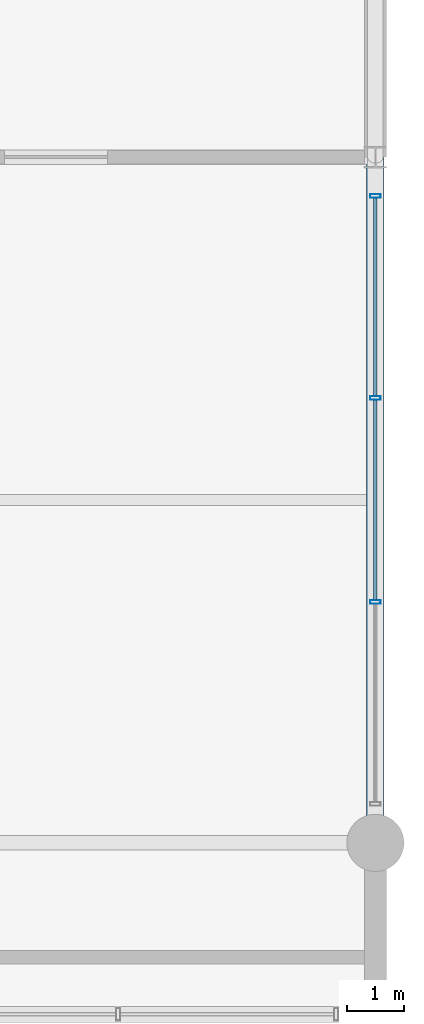
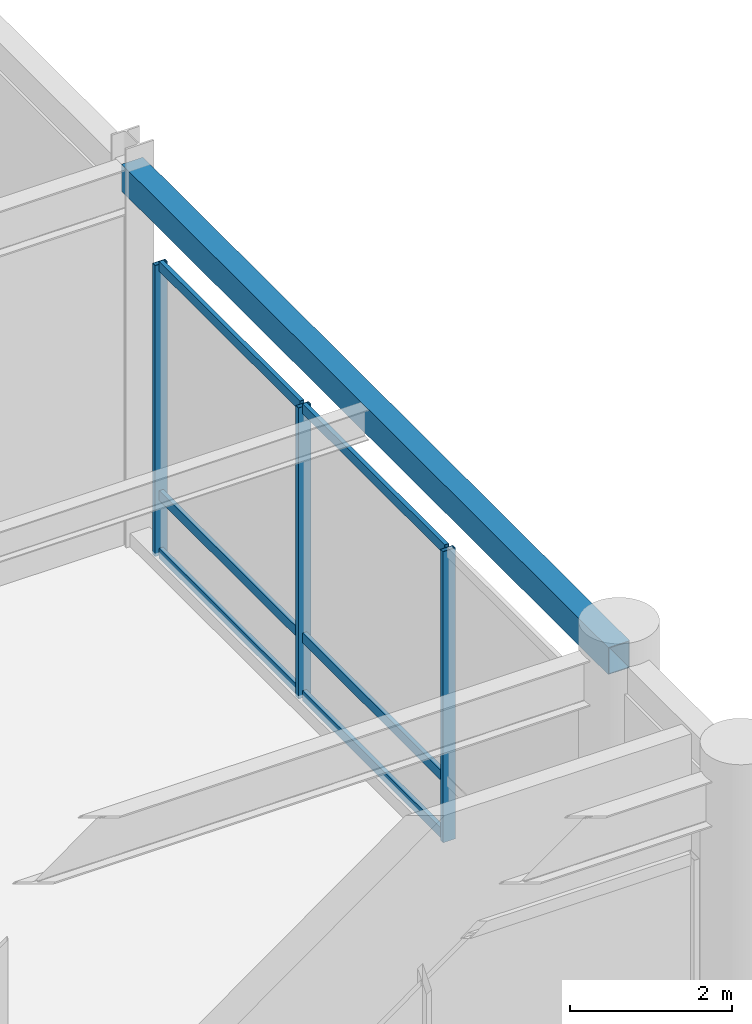
# One storey, part 75 of 108: 9 members, 1 beam, 1 element without a shape of its own.
"""IFC4 building model written with IfcOpenShell, lengths in metres."""

from ifc_helpers import new_model, si_unit, direction, frame, origin, origin_2d, place, context, subcontext, project, spatial, hollow_rectangle, extrude, material, material_profile, profile_set, type_object, element, aggregate, save


model = new_model("IFC4")

# Units and contexts
model_context = context("Model", 3, precision=1e-05, world=origin(), true_north=direction((0.0, 1.0)))
body_context = subcontext(model_context, "Body", "Model", "MODEL_VIEW")
ifc_project = project(units=[si_unit("LENGTHUNIT", "METRE"), si_unit("AREAUNIT", "SQUARE_METRE"), si_unit("VOLUMEUNIT", "CUBIC_METRE"), si_unit("PLANEANGLEUNIT", "RADIAN"), si_unit("MASSUNIT", "GRAM", prefix="KILO")], contexts=[model_context])

# Site, building, storey
site_placement = place(None, origin())
site = spatial("IfcSite", under=ifc_project, at=site_placement, CompositionType="ELEMENT")
building_placement = place(site_placement, origin())
building = spatial("IfcBuilding", under=site, at=building_placement, Name="Kaldorvane Square Convention Centre", CompositionType="ELEMENT")
storey_placement = place(building_placement, frame((0.0, 0.0, 12.0)))
storey = spatial("IfcBuildingStorey", under=building, at=storey_placement, Name="L02", CompositionType="ELEMENT", Elevation=12.0)

# Beam
ifc_material_1 = material(Name="Steel ASTM A500 Gr. C", Category="steel")
ifc_material_profile_1 = material_profile(ifc_material_1, hollow_rectangle(XDim=0.3047943115234375, YDim=0.406402587890625, WallThickness=0.0117950439453125, at=origin_2d()), Name="HSS16X12X1/2")
ifc_profile_set_1 = profile_set([ifc_material_profile_1], Name="Steel ASTM A500 Gr. C")
beam_type = type_object("IfcBeamType", Name="BM-SP-HSS16", PredefinedType="SPANDREL", material=ifc_profile_set_1)
beam_placement = place(storey_placement, frame((174.0, 84.0, 5.4427947998046875), z_axis=(0.0, 1.0, 0.0), x_axis=(-1.0, 0.0, 0.0)))
element("IfcBeam", 1, at=beam_placement, inside=storey, type_object=beam_type, Name="End Spandrel (L02)", PredefinedType="SPANDREL", context=body_context, shape_type="SweptSolid", body=[
    extrude(hollow_rectangle(XDim=0.3047943115234375, YDim=0.406402587890625, WallThickness=0.0117950439453125, at=origin_2d()), origin(), (0.0, 0.0, 1.0), 12.0),
])

# Curtain wall, members
ifc_material_2 = material(Name="Anodized Aluminum and Low-E Insulated Glazing", Category="aluminium")
curtain_wall_type = type_object("IfcCurtainWallType", Name="CW-UNI-P60-09", PredefinedType="USERDEFINED", material=ifc_material_2)
curtain_wall_placement = place(storey_placement, origin())
curtain_wall = element("IfcCurtainWall", 2, at=curtain_wall_placement, inside=storey, type_object=curtain_wall_type, Name="Curtain Wall CW-02 (L02)", ObjectType="UNITISED GLAZING", PredefinedType="USERDEFINED")
ifc_material_profile_2 = material_profile(ifc_material_2, hollow_rectangle(XDim=0.06500244140625, YDim=0.17999267578125, WallThickness=0.0034942626953125, at=origin_2d()), Name="CWM-180X65")
ifc_profile_set_2 = profile_set([ifc_material_profile_2], Name="Anodized Aluminum and Low-E Insulated Glazing")
member_type_1 = type_object("IfcMemberType", Name="CW-MUL-180", PredefinedType="MULLION", material=ifc_profile_set_2)
member_1_placement = place(storey_placement, frame((174.0, 88.21665954589844, 0.149993896484375), z_axis=(0.0, 0.0, 1.0), x_axis=(0.0, 1.0, 0.0)))
member_1 = element("IfcMember", 3, at=member_1_placement, type_object=member_type_1, Name="CW-02 mullion 2", PredefinedType="MULLION", context=body_context, shape_type="SweptSolid", body=[
    extrude(hollow_rectangle(XDim=0.06500244140625, YDim=0.17999267578125, WallThickness=0.0034942626953125, at=origin_2d()), origin(), (0.0, 0.0, 1.0), 4.3800048828125),
])
member_2_placement = place(storey_placement, frame((174.0, 91.78334045410156, 0.149993896484375), z_axis=(0.0, 0.0, 1.0), x_axis=(0.0, 1.0, 0.0)))
member_2 = element("IfcMember", 4, at=member_2_placement, type_object=member_type_1, Name="CW-02 mullion 3", PredefinedType="MULLION", context=body_context, shape_type="SweptSolid", body=[
    extrude(hollow_rectangle(XDim=0.06500244140625, YDim=0.17999267578125, WallThickness=0.0034942626953125, at=origin_2d()), origin(), (0.0, 0.0, 1.0), 4.3800048828125),
])
member_3_placement = place(storey_placement, frame((174.0, 95.3175048828125, 0.149993896484375), z_axis=(0.0, 0.0, 1.0), x_axis=(0.0, 1.0, 0.0)))
member_3 = element("IfcMember", 5, at=member_3_placement, type_object=member_type_1, Name="CW-02 mullion 4", PredefinedType="MULLION", context=body_context, shape_type="SweptSolid", body=[
    extrude(hollow_rectangle(XDim=0.06500244140625, YDim=0.17999267578125, WallThickness=0.0034942626953125, at=origin_2d()), origin(), (0.0, 0.0, 1.0), 4.3800048828125),
])
ifc_material_profile_3 = material_profile(ifc_material_2, hollow_rectangle(XDim=0.05999755859375, YDim=0.149993896484375, WallThickness=0.003204345703125, at=origin_2d()), Name="CWT-150X60")
ifc_profile_set_3 = profile_set([ifc_material_profile_3], Name="Anodized Aluminum and Low-E Insulated Glazing")
member_type_2 = type_object("IfcMemberType", Name="CW-TRN-150", PredefinedType="USERDEFINED", material=ifc_profile_set_3)
member_4_placement = place(storey_placement, frame((174.0, 88.24916076660156, 0.17999267578125), z_axis=(0.0, 1.0, 0.0), x_axis=(-1.0, 0.0, 0.0)))
member_4 = element("IfcMember", 6, at=member_4_placement, type_object=member_type_2, Name="CW-02 transom 2.1", ObjectType="TRANSOM", PredefinedType="USERDEFINED", context=body_context, shape_type="SweptSolid", body=[
    extrude(hollow_rectangle(XDim=0.05999755859375, YDim=0.149993896484375, WallThickness=0.003204345703125, at=origin_2d()), origin(), (0.0, 0.0, 1.0), 3.501678466796875),
])
member_5_placement = place(storey_placement, frame((174.0, 88.24916076660156, 1.0500030517578125), z_axis=(0.0, 1.0, 0.0), x_axis=(-1.0, 0.0, 0.0)))
member_5 = element("IfcMember", 7, at=member_5_placement, type_object=member_type_2, Name="CW-02 transom 2.2", ObjectType="TRANSOM", PredefinedType="USERDEFINED", context=body_context, shape_type="SweptSolid", body=[
    extrude(hollow_rectangle(XDim=0.05999755859375, YDim=0.149993896484375, WallThickness=0.003204345703125, at=origin_2d()), origin(), (0.0, 0.0, 1.0), 3.501678466796875),
])
member_6_placement = place(storey_placement, frame((174.0, 88.24916076660156, 4.5), z_axis=(0.0, 1.0, 0.0), x_axis=(-1.0, 0.0, 0.0)))
member_6 = element("IfcMember", 8, at=member_6_placement, type_object=member_type_2, Name="CW-02 transom 2.3", ObjectType="TRANSOM", PredefinedType="USERDEFINED", context=body_context, shape_type="SweptSolid", body=[
    extrude(hollow_rectangle(XDim=0.05999755859375, YDim=0.149993896484375, WallThickness=0.003204345703125, at=origin_2d()), origin(), (0.0, 0.0, 1.0), 3.501678466796875),
])
member_7_placement = place(storey_placement, frame((174.0, 91.81582641601562, 0.17999267578125), z_axis=(0.0, 1.0, 0.0), x_axis=(-1.0, 0.0, 0.0)))
member_7 = element("IfcMember", 9, at=member_7_placement, type_object=member_type_2, Name="CW-02 transom 3.1", ObjectType="TRANSOM", PredefinedType="USERDEFINED", context=body_context, shape_type="SweptSolid", body=[
    extrude(hollow_rectangle(XDim=0.05999755859375, YDim=0.149993896484375, WallThickness=0.003204345703125, at=origin_2d()), origin(), (0.0, 0.0, 1.0), 3.46917724609375),
])
member_8_placement = place(storey_placement, frame((174.0, 91.81582641601562, 1.0500030517578125), z_axis=(0.0, 1.0, 0.0), x_axis=(-1.0, 0.0, 0.0)))
member_8 = element("IfcMember", 10, at=member_8_placement, type_object=member_type_2, Name="CW-02 transom 3.2", ObjectType="TRANSOM", PredefinedType="USERDEFINED", context=body_context, shape_type="SweptSolid", body=[
    extrude(hollow_rectangle(XDim=0.05999755859375, YDim=0.149993896484375, WallThickness=0.003204345703125, at=origin_2d()), origin(), (0.0, 0.0, 1.0), 3.46917724609375),
])
member_9_placement = place(storey_placement, frame((174.0, 91.81582641601562, 4.5), z_axis=(0.0, 1.0, 0.0), x_axis=(-1.0, 0.0, 0.0)))
member_9 = element("IfcMember", 11, at=member_9_placement, type_object=member_type_2, Name="CW-02 transom 3.3", ObjectType="TRANSOM", PredefinedType="USERDEFINED", context=body_context, shape_type="SweptSolid", body=[
    extrude(hollow_rectangle(XDim=0.05999755859375, YDim=0.149993896484375, WallThickness=0.003204345703125, at=origin_2d()), origin(), (0.0, 0.0, 1.0), 3.46917724609375),
])
aggregate(curtain_wall, [member_1, member_2, member_3, member_4, member_5, member_6, member_7, member_8, member_9])

save(model, "model.ifc")
